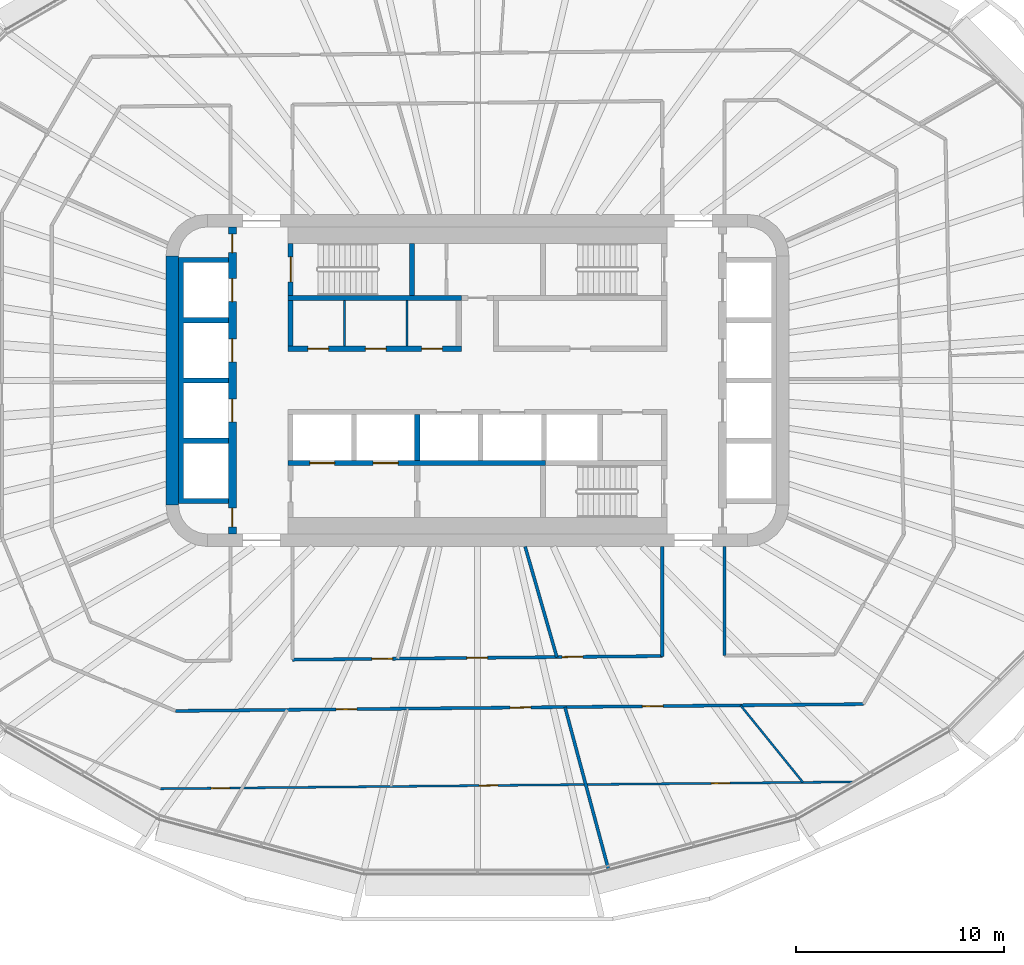
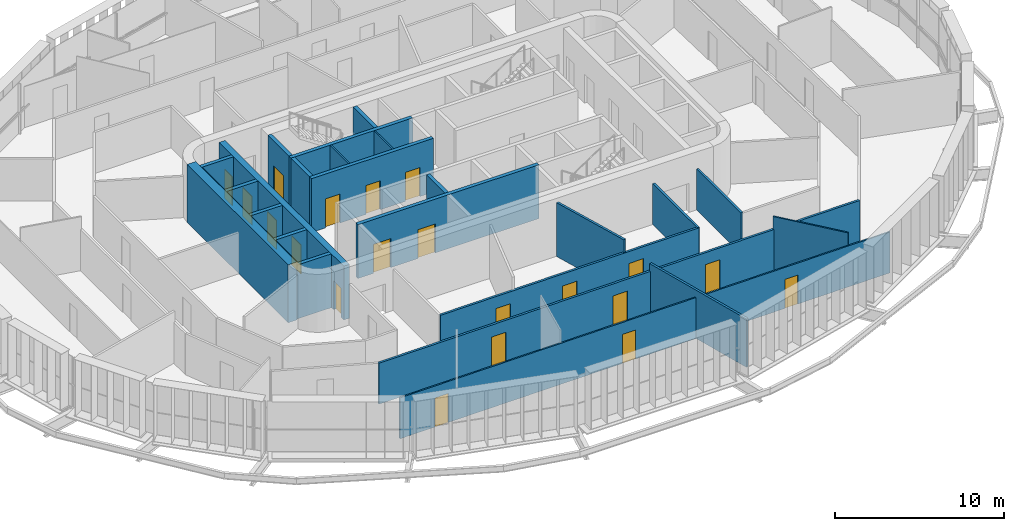
# One storey, part 15 of 26: 20 doors, 20 walls, 20 openings.
"""IFC4 building model written with IfcOpenShell, lengths in metres."""

from ifc_helpers import new_model, si_unit, direction, frame, frame_2d, origin, place, context, subcontext, project, spatial, polyline, rectangle, outline, extrude, material, layer, layer_set, type_object, element, fill, save


model = new_model("IFC4")

# Units and contexts
model_context = context("Model", 3, precision=1e-05, world=origin(), true_north=direction((0.0, 1.0)))
body_context = subcontext(model_context, "Body", "Model", "MODEL_VIEW")
ifc_project = project(units=[si_unit("LENGTHUNIT", "METRE"), si_unit("AREAUNIT", "SQUARE_METRE"), si_unit("VOLUMEUNIT", "CUBIC_METRE"), si_unit("PLANEANGLEUNIT", "RADIAN"), si_unit("MASSUNIT", "GRAM", prefix="KILO")], contexts=[model_context])

# Site, building, storey
site_placement = place(None, origin())
site = spatial("IfcSite", under=ifc_project, at=site_placement, CompositionType="ELEMENT")
building_placement = place(site_placement, origin())
building = spatial("IfcBuilding", under=site, at=building_placement, Name="Sahrelin Media Tower", CompositionType="ELEMENT")
storey_placement = place(building_placement, frame((0.0, 0.0, 92.39990234375)))
storey = spatial("IfcBuildingStorey", under=building, at=storey_placement, Name="L17", CompositionType="ELEMENT", Elevation=92.39990234375)

# Wall
ifc_material_1 = material(Name="Concrete C60/75", Category="concrete")
ifc_layer_1 = layer(ifc_material_1, 0.60009765625)
ifc_layer_set_1 = layer_set([ifc_layer_1], Name="Core wall 600")
wall_type_1 = type_object("IfcWallType", Name="Core wall 600", PredefinedType="SHEAR", material=ifc_layer_set_1)
wall_1_placement = place(storey_placement, frame((-14.699951171875, -6.0, 0.0), z_axis=(0.0, 0.0, 1.0), x_axis=(0.0, 1.0, 0.0)))
element("IfcWall", 1, at=wall_1_placement, inside=storey, type_object=wall_type_1, Name="Core wall W L17", PredefinedType="SHEAR", context=body_context, shape_type="SweptSolid", body=[
    extrude(rectangle(XDim=12.0, YDim=0.60009765625, at=frame_2d((6.0, 0.0))), origin(), (0.0, 0.0, 1.0), 4.2001953125),
])

# Wall, openings, doors
ifc_material_2 = material(Name="Fire-rated gypsum board partition")
ifc_layer_2 = layer(ifc_material_2, 0.25)
ifc_layer_set_2 = layer_set([ifc_layer_2], Name="Fire-rated lobby wall 250")
wall_type_2 = type_object("IfcWallType", Name="Fire-rated lobby wall 250", PredefinedType="PARTITIONING", material=ifc_layer_set_2)
wall_2_placement = place(storey_placement, frame((-9.125, 1.52490234375, 0.0), z_axis=(0.0, 0.0, 1.0), x_axis=(1.0, 0.0, 0.0)))
wall_2 = element("IfcWall", 2, at=wall_2_placement, inside=storey, type_object=wall_type_2, Name="Core lobby wall", PredefinedType="PARTITIONING", context=body_context, shape_type="SweptSolid", body=[
    extrude(rectangle(XDim=8.35009765625, YDim=0.25, at=frame_2d((4.175048828125, 0.0))), origin(), (0.0, 0.0, 1.0), 3.900146484375),
])
opening_1_placement = place(wall_2_placement, frame((0.96240234375, 0.0, 0.0)))
opening_1 = element("IfcOpeningElement", 3, at=opening_1_placement, cuts=wall_2, Name="Opening L17-D08", PredefinedType="OPENING", context=body_context, shape_type="SweptSolid", body=[
    extrude(rectangle(XDim=1.0, YDim=2.10009765625, at=frame_2d((0.5, 1.050048828125))), frame((0.0, 0.125, 0.0), z_axis=(0.0, -1.0, 0.0), x_axis=(1.0, 0.0, 0.0)), (0.0, 0.0, 1.0), 0.25),
])
opening_2_placement = place(wall_2_placement, frame((3.72509765625, 0.0, 0.0)))
opening_2 = element("IfcOpeningElement", 4, at=opening_2_placement, cuts=wall_2, Name="Opening L17-D09", PredefinedType="OPENING", context=body_context, shape_type="SweptSolid", body=[
    extrude(rectangle(XDim=1.0, YDim=2.10009765625, at=frame_2d((0.5, 1.050048828125))), frame((0.0, 0.125, 0.0), z_axis=(0.0, -1.0, 0.0), x_axis=(1.0, 0.0, 0.0)), (0.0, 0.0, 1.0), 0.25),
])
opening_3_placement = place(wall_2_placement, frame((6.4375, 0.0, 0.0)))
opening_3 = element("IfcOpeningElement", 5, at=opening_3_placement, cuts=wall_2, Name="Opening L17-D10", PredefinedType="OPENING", context=body_context, shape_type="SweptSolid", body=[
    extrude(rectangle(XDim=1.0, YDim=2.10009765625, at=frame_2d((0.5, 1.050048828125))), frame((0.0, 0.125, 0.0), z_axis=(0.0, -1.0, 0.0), x_axis=(1.0, 0.0, 0.0)), (0.0, 0.0, 1.0), 0.25),
])
ifc_material_3 = material(Name="Steel fire door leaf", Category="steel")
door_type_1 = type_object("IfcDoorType", Name="Fire door 1000 x 2100 EI 60", OperationType="NOTDEFINED", PredefinedType="DOOR", material=ifc_material_3)
door_1_placement = place(opening_1_placement, origin())
door_1 = element("IfcDoor", 6, at=door_1_placement, inside=storey, type_object=door_type_1, Name="Core room door", OperationType="SINGLE_SWING_LEFT", OverallHeight=2.10009765625, OverallWidth=1.0, PredefinedType="DOOR", context=body_context, shape_type="SweptSolid", body=[
    extrude(rectangle(XDim=1.0, YDim=2.10009765625, at=frame_2d((0.5, 1.050048828125))), frame((0.0, 0.02490234375, 0.0), z_axis=(0.0, -1.0, 0.0), x_axis=(1.0, 0.0, 0.0)), (0.0, 0.0, 1.0), 0.050048828125),
])
fill(opening_1, door_1)
door_2_placement = place(opening_2_placement, origin())
door_2 = element("IfcDoor", 7, at=door_2_placement, inside=storey, type_object=door_type_1, Name="Core room door", OperationType="SINGLE_SWING_LEFT", OverallHeight=2.10009765625, OverallWidth=1.0, PredefinedType="DOOR", context=body_context, shape_type="SweptSolid", body=[
    extrude(rectangle(XDim=1.0, YDim=2.10009765625, at=frame_2d((0.5, 1.050048828125))), frame((0.0, 0.02490234375, 0.0), z_axis=(0.0, -1.0, 0.0), x_axis=(1.0, 0.0, 0.0)), (0.0, 0.0, 1.0), 0.050048828125),
])
fill(opening_2, door_2)
door_3_placement = place(opening_3_placement, origin())
door_3 = element("IfcDoor", 8, at=door_3_placement, inside=storey, type_object=door_type_1, Name="Core room door", OperationType="SINGLE_SWING_LEFT", OverallHeight=2.10009765625, OverallWidth=1.0, PredefinedType="DOOR", context=body_context, shape_type="SweptSolid", body=[
    extrude(rectangle(XDim=1.0, YDim=2.10009765625, at=frame_2d((0.5, 1.050048828125))), frame((0.0, 0.02490234375, 0.0), z_axis=(0.0, -1.0, 0.0), x_axis=(1.0, 0.0, 0.0)), (0.0, 0.0, 1.0), 0.050048828125),
])
fill(opening_3, door_3)

# Walls
wall_3_placement = place(storey_placement, frame((-9.0, 1.64990234375, 0.0), z_axis=(0.0, 0.0, 1.0), x_axis=(0.0, 1.0, 0.0)))
element("IfcWall", 9, at=wall_3_placement, inside=storey, type_object=wall_type_2, Name="Core lobby wall", PredefinedType="PARTITIONING", context=body_context, shape_type="SweptSolid", body=[
    extrude(rectangle(XDim=2.2001953125, YDim=0.25, at=frame_2d((1.10009765625, 0.0))), origin(), (0.0, 0.0, 1.0), 3.900146484375),
])
ifc_layer_3 = layer(ifc_material_2, 0.10009765625)
ifc_layer_set_3 = layer_set([ifc_layer_3], Name="Fire-rated partition 100")
wall_type_3 = type_object("IfcWallType", Name="Fire-rated partition 100", PredefinedType="PARTITIONING", material=ifc_layer_set_3)
for number, where, z_axis, x_axis, name in (
    (10, (-6.39990234375, 1.64990234375, 0.0), (0.0, 0.0, 1.0), (0.0, 1.0, 0.0), "Core room partition"),
    (11, (-3.39990234375, 1.64990234375, 0.0), (0.0, 0.0, 1.0), (0.0, 1.0, 0.0), "Core room partition"),
):
    element("IfcWall", number, at=place(storey_placement, frame(where, z_axis=z_axis, x_axis=x_axis)), inside=storey, type_object=wall_type_3, Name=name, PredefinedType="PARTITIONING", context=body_context, shape_type="SweptSolid", body=[
        extrude(rectangle(XDim=2.2001953125, YDim=0.10009765625, at=frame_2d((1.10009765625, 0.0))), origin(), (0.0, 0.0, 1.0), 3.900146484375),
    ])
ifc_layer_4 = layer(ifc_material_2, 0.14990234375)
ifc_layer_set_4 = layer_set([ifc_layer_4], Name="Fire-rated partition 150")
wall_type_4 = type_object("IfcWallType", Name="Fire-rated partition 150", PredefinedType="PARTITIONING", material=ifc_layer_set_4)
wall_4_placement = place(storey_placement, frame((4.215087890625, -15.72998046875, 0.0), z_axis=(0.0, 0.0, 1.0), x_axis=(0.258844392232, -0.96591903419, 0.0)))
element("IfcWall", 12, at=wall_4_placement, inside=storey, type_object=wall_type_4, Name="Wall", PredefinedType="PARTITIONING", context=body_context, shape_type="SweptSolid", body=[
    extrude(rectangle(XDim=8.1123046875, YDim=0.14990234375, at=frame_2d((4.05615234375, 0.0))), origin(), (0.0, 0.0, 1.0), 3.501708984375),
])
wall_5_placement = place(storey_placement, frame((2.2958984375, -8.0, 0.0), z_axis=(0.0, 0.0, 1.0), x_axis=(0.275935525478, -0.961176147113, 0.0)))
element("IfcWall", 13, at=wall_5_placement, inside=storey, type_object=wall_type_4, Name="Wall", PredefinedType="PARTITIONING", context=body_context, shape_type="SweptSolid", body=[
    extrude(rectangle(XDim=5.54833984375, YDim=0.14990234375, at=frame_2d((2.774169921875, 0.0))), origin(), (0.0, 0.0, 1.0), 3.900146484375),
])

# Wall, openings, doors
wall_6_placement = place(storey_placement, frame((-14.533935546875, -15.91552734375, 0.0), z_axis=(0.0, 0.0, 1.0), x_axis=(0.999950930262, 0.009906415532, 0.0)))
wall_6 = element("IfcWall", 14, at=wall_6_placement, inside=storey, type_object=wall_type_4, Name="Wall", PredefinedType="PARTITIONING", context=body_context, shape_type="SweptSolid", body=[
    extrude(rectangle(XDim=33.12255859375, YDim=0.14990234375, at=frame_2d((16.561279296875, 0.0))), origin(), (0.0, 0.0, 1.0), 2.96826171875),
])
opening_4_placement = place(wall_6_placement, frame((22.477294921875, 0.0, 0.0)))
opening_4 = element("IfcOpeningElement", 15, at=opening_4_placement, cuts=wall_6, Name="Opening L17-D35", PredefinedType="OPENING", context=body_context, shape_type="SweptSolid", body=[
    extrude(rectangle(XDim=1.0, YDim=2.10009765625, at=frame_2d((0.5, 1.050048828125))), frame((0.0, 0.074951171875, 0.0), z_axis=(0.0, -1.0, 0.0), x_axis=(1.0, 0.0, 0.0)), (0.0, 0.0, 1.0), 0.14990234375),
])
opening_5_placement = place(wall_6_placement, frame((7.722900390625, 0.0, 0.0)))
opening_5 = element("IfcOpeningElement", 16, at=opening_5_placement, cuts=wall_6, Name="Opening L17-D56", PredefinedType="OPENING", context=body_context, shape_type="SweptSolid", body=[
    extrude(rectangle(XDim=1.0, YDim=2.10009765625, at=frame_2d((0.5, 1.050048828125))), frame((0.0, 0.074951171875, 0.0), z_axis=(0.0, -1.0, 0.0), x_axis=(1.0, 0.0, 0.0)), (0.0, 0.0, 1.0), 0.14990234375),
])
opening_6_placement = place(wall_6_placement, frame((16.111083984375, 0.0, 0.0)))
opening_6 = element("IfcOpeningElement", 17, at=opening_6_placement, cuts=wall_6, Name="Opening L17-D57", PredefinedType="OPENING", context=body_context, shape_type="SweptSolid", body=[
    extrude(rectangle(XDim=1.0, YDim=2.10009765625, at=frame_2d((0.5, 1.050048828125))), frame((0.0, 0.074951171875, 0.0), z_axis=(0.0, -1.0, 0.0), x_axis=(1.0, 0.0, 0.0)), (0.0, 0.0, 1.0), 0.14990234375),
])
door_4_placement = place(opening_4_placement, origin())
door_4 = element("IfcDoor", 18, at=door_4_placement, inside=storey, type_object=door_type_1, Name="Fire door", OperationType="SINGLE_SWING_RIGHT", OverallHeight=2.10009765625, OverallWidth=1.0, PredefinedType="DOOR", context=body_context, shape_type="SweptSolid", body=[
    extrude(rectangle(XDim=1.0, YDim=2.10009765625, at=frame_2d((0.5, 1.050048828125))), frame((0.0, 0.02490234375, 0.0), z_axis=(0.0, -1.0, 0.0), x_axis=(1.0, 0.0, 0.0)), (0.0, 0.0, 1.0), 0.050048828125),
])
fill(opening_4, door_4)
door_5_placement = place(opening_5_placement, origin())
door_5 = element("IfcDoor", 19, at=door_5_placement, inside=storey, type_object=door_type_1, Name="Fire door", OperationType="SINGLE_SWING_LEFT", OverallHeight=2.10009765625, OverallWidth=1.0, PredefinedType="DOOR", context=body_context, shape_type="SweptSolid", body=[
    extrude(rectangle(XDim=1.0, YDim=2.10009765625, at=frame_2d((0.5, 1.050048828125))), frame((0.0, 0.02490234375, 0.0), z_axis=(0.0, -1.0, 0.0), x_axis=(1.0, 0.0, 0.0)), (0.0, 0.0, 1.0), 0.050048828125),
])
fill(opening_5, door_5)
door_6_placement = place(opening_6_placement, origin())
door_6 = element("IfcDoor", 20, at=door_6_placement, inside=storey, type_object=door_type_1, Name="Fire door", OperationType="SINGLE_SWING_RIGHT", OverallHeight=2.10009765625, OverallWidth=1.0, PredefinedType="DOOR", context=body_context, shape_type="SweptSolid", body=[
    extrude(rectangle(XDim=1.0, YDim=2.10009765625, at=frame_2d((0.5, 1.050048828125))), frame((0.0, 0.02490234375, 0.0), z_axis=(0.0, -1.0, 0.0), x_axis=(1.0, 0.0, 0.0)), (0.0, 0.0, 1.0), 0.050048828125),
])
fill(opening_6, door_6)

wall_7_placement = place(storey_placement, frame((-8.89990234375, -13.448974609375, 0.0), z_axis=(0.0, 0.0, 1.0), x_axis=(0.999950834077, 0.009916119672, 0.0)))
wall_7 = element("IfcWall", 21, at=wall_7_placement, inside=storey, type_object=wall_type_4, Name="Wall", PredefinedType="PARTITIONING", context=body_context, shape_type="SweptSolid", body=[
    extrude(rectangle(XDim=17.80078125, YDim=0.14990234375, at=frame_2d((8.900390625, 0.0))), origin(), (0.0, 0.0, 1.0), 2.96826171875),
])
opening_7_placement = place(wall_7_placement, frame((3.81787109375, 0.0, 0.0)))
opening_7 = element("IfcOpeningElement", 22, at=opening_7_placement, cuts=wall_7, Name="Opening L17-D21", PredefinedType="OPENING", context=body_context, shape_type="SweptSolid", body=[
    extrude(rectangle(XDim=1.0, YDim=2.10009765625, at=frame_2d((0.5, 1.050048828125))), frame((0.0, 0.074951171875, 0.0), z_axis=(0.0, -1.0, 0.0), x_axis=(1.0, 0.0, 0.0)), (0.0, 0.0, 1.0), 0.14990234375),
])
opening_8_placement = place(wall_7_placement, frame((8.390869140625, 0.0, 0.0)))
opening_8 = element("IfcOpeningElement", 23, at=opening_8_placement, cuts=wall_7, Name="Opening L17-D22", PredefinedType="OPENING", context=body_context, shape_type="SweptSolid", body=[
    extrude(rectangle(XDim=1.0, YDim=2.10009765625, at=frame_2d((0.5, 1.050048828125))), frame((0.0, 0.074951171875, 0.0), z_axis=(0.0, -1.0, 0.0), x_axis=(1.0, 0.0, 0.0)), (0.0, 0.0, 1.0), 0.14990234375),
])
opening_9_placement = place(wall_7_placement, frame((12.974609375, 0.0, 0.0)))
opening_9 = element("IfcOpeningElement", 24, at=opening_9_placement, cuts=wall_7, Name="Opening L17-D23", PredefinedType="OPENING", context=body_context, shape_type="SweptSolid", body=[
    extrude(rectangle(XDim=1.0, YDim=2.10009765625, at=frame_2d((0.5, 1.050048828125))), frame((0.0, 0.074951171875, 0.0), z_axis=(0.0, -1.0, 0.0), x_axis=(1.0, 0.0, 0.0)), (0.0, 0.0, 1.0), 0.14990234375),
])
door_7_placement = place(opening_7_placement, origin())
door_7 = element("IfcDoor", 25, at=door_7_placement, inside=storey, type_object=door_type_1, Name="Fire door", OperationType="SINGLE_SWING_LEFT", OverallHeight=2.10009765625, OverallWidth=1.0, PredefinedType="DOOR", context=body_context, shape_type="SweptSolid", body=[
    extrude(rectangle(XDim=1.0, YDim=2.10009765625, at=frame_2d((0.5, 1.050048828125))), frame((0.0, 0.02490234375, 0.0), z_axis=(0.0, -1.0, 0.0), x_axis=(1.0, 0.0, 0.0)), (0.0, 0.0, 1.0), 0.050048828125),
])
fill(opening_7, door_7)
door_8_placement = place(opening_8_placement, origin())
door_8 = element("IfcDoor", 26, at=door_8_placement, inside=storey, type_object=door_type_1, Name="Fire door", OperationType="SINGLE_SWING_RIGHT", OverallHeight=2.10009765625, OverallWidth=1.0, PredefinedType="DOOR", context=body_context, shape_type="SweptSolid", body=[
    extrude(rectangle(XDim=1.0, YDim=2.10009765625, at=frame_2d((0.5, 1.050048828125))), frame((0.0, 0.02490234375, 0.0), z_axis=(0.0, -1.0, 0.0), x_axis=(1.0, 0.0, 0.0)), (0.0, 0.0, 1.0), 0.050048828125),
])
fill(opening_8, door_8)
door_9_placement = place(opening_9_placement, origin())
door_9 = element("IfcDoor", 27, at=door_9_placement, inside=storey, type_object=door_type_1, Name="Fire door", OperationType="SINGLE_SWING_LEFT", OverallHeight=2.10009765625, OverallWidth=1.0, PredefinedType="DOOR", context=body_context, shape_type="SweptSolid", body=[
    extrude(rectangle(XDim=1.0, YDim=2.10009765625, at=frame_2d((0.5, 1.050048828125))), frame((0.0, 0.02490234375, 0.0), z_axis=(0.0, -1.0, 0.0), x_axis=(1.0, 0.0, 0.0)), (0.0, 0.0, 1.0), 0.050048828125),
])
fill(opening_9, door_9)

# Walls
wall_8_placement = place(storey_placement, frame((11.89990234375, -13.2529296875, 0.0), z_axis=(0.0, 0.0, 1.0), x_axis=(0.0, 1.0, 0.0)))
element("IfcWall", 28, at=wall_8_placement, inside=storey, type_object=wall_type_4, Name="Wall", PredefinedType="PARTITIONING", context=body_context, shape_type="SweptSolid", body=[
    extrude(rectangle(XDim=5.2529296875, YDim=0.14990234375, at=frame_2d((2.62646484375, 0.0))), origin(), (0.0, 0.0, 1.0), 2.96826171875),
])
wall_9_placement = place(storey_placement, frame((8.89990234375, -13.282958984375, 0.0), z_axis=(0.0, 0.0, 1.0), x_axis=(0.0, 1.0, 0.0)))
element("IfcWall", 29, at=wall_9_placement, inside=storey, type_object=wall_type_4, Name="Wall", PredefinedType="PARTITIONING", context=body_context, shape_type="SweptSolid", body=[
    extrude(rectangle(XDim=5.282958984375, YDim=0.14990234375, at=frame_2d((2.6416015625, 0.0))), origin(), (0.0, 0.0, 1.0), 2.96826171875),
])

# Wall, openings, doors
ifc_layer_5 = layer(ifc_material_1, 0.25)
ifc_layer_set_5 = layer_set([ifc_layer_5], Name="Lift shaft wall 250")
wall_type_5 = type_object("IfcWallType", Name="Lift shaft wall 250", PredefinedType="SOLIDWALL", material=ifc_layer_set_5)
wall_10_placement = place(storey_placement, frame((-9.125, -3.97509765625, 0.0), z_axis=(0.0, 0.0, 1.0), x_axis=(1.0, 0.0, 0.0)))
wall_10 = element("IfcWall", 30, at=wall_10_placement, inside=storey, type_object=wall_type_5, Name="Lift shaft wall", PredefinedType="SOLIDWALL", context=body_context, shape_type="SweptSolid", body=[
    extrude(rectangle(XDim=12.39990234375, YDim=0.25, at=frame_2d((6.199951171875, 0.0))), origin(), (0.0, 0.0, 1.0), 3.900146484375),
])
opening_10_placement = place(wall_10_placement, frame((1.050048828125, 0.0, 0.0)))
opening_10 = element("IfcOpeningElement", 31, at=opening_10_placement, cuts=wall_10, Name="Opening L17-LD-FF1", PredefinedType="OPENING", context=body_context, shape_type="SweptSolid", body=[
    extrude(rectangle(XDim=1.199951171875, YDim=2.10009765625, at=frame_2d((0.60009765625, 1.050048828125))), frame((0.0, 0.125, 0.0), z_axis=(0.0, -1.0, 0.0), x_axis=(1.0, 0.0, 0.0)), (0.0, 0.0, 1.0), 0.25),
])
opening_11_placement = place(wall_10_placement, frame((4.10009765625, 0.0, 0.0)))
opening_11 = element("IfcOpeningElement", 32, at=opening_11_placement, cuts=wall_10, Name="Opening L17-LD-FF2", PredefinedType="OPENING", context=body_context, shape_type="SweptSolid", body=[
    extrude(rectangle(XDim=1.199951171875, YDim=2.10009765625, at=frame_2d((0.60009765625, 1.050048828125))), frame((0.0, 0.125, 0.0), z_axis=(0.0, -1.0, 0.0), x_axis=(1.0, 0.0, 0.0)), (0.0, 0.0, 1.0), 0.25),
])
ifc_material_4 = material(Name="Stainless steel", Category="steel")
door_type_2 = type_object("IfcDoorType", Name="Lift landing door 1200 x 2100 EI 120", OperationType="DOUBLE_DOOR_SLIDING", PredefinedType="DOOR", material=ifc_material_4)
door_10_placement = place(opening_10_placement, origin())
door_10 = element("IfcDoor", 33, at=door_10_placement, inside=storey, type_object=door_type_2, Name="Lift landing door FF1", OperationType="DOUBLE_DOOR_SLIDING", OverallHeight=2.10009765625, OverallWidth=1.199951171875, PredefinedType="DOOR", context=body_context, shape_type="SweptSolid", body=[
    extrude(rectangle(XDim=1.199951171875, YDim=2.10009765625, at=frame_2d((0.60009765625, 1.050048828125))), frame((0.0, 0.02490234375, 0.0), z_axis=(0.0, -1.0, 0.0), x_axis=(1.0, 0.0, 0.0)), (0.0, 0.0, 1.0), 0.050048828125),
])
fill(opening_10, door_10)
door_11_placement = place(opening_11_placement, origin())
door_11 = element("IfcDoor", 34, at=door_11_placement, inside=storey, type_object=door_type_2, Name="Lift landing door FF2", OperationType="DOUBLE_DOOR_SLIDING", OverallHeight=2.10009765625, OverallWidth=1.199951171875, PredefinedType="DOOR", context=body_context, shape_type="SweptSolid", body=[
    extrude(rectangle(XDim=1.199951171875, YDim=2.10009765625, at=frame_2d((0.60009765625, 1.050048828125))), frame((0.0, 0.02490234375, 0.0), z_axis=(0.0, -1.0, 0.0), x_axis=(1.0, 0.0, 0.0)), (0.0, 0.0, 1.0), 0.050048828125),
])
fill(opening_11, door_11)

# Walls
wall_11_placement = place(storey_placement, frame((-2.89990234375, -3.85009765625, 0.0), z_axis=(0.0, 0.0, 1.0), x_axis=(0.0, 1.0, 0.0)))
element("IfcWall", 35, at=wall_11_placement, inside=storey, type_object=wall_type_5, Name="Lift shaft wall", PredefinedType="SOLIDWALL", context=body_context, shape_type="SweptSolid", body=[
    extrude(rectangle(XDim=2.2001953125, YDim=0.25, at=frame_2d((1.10009765625, 0.0))), origin(), (0.0, 0.0, 1.0), 3.900146484375),
])
wall_12_placement = place(storey_placement, origin())
element("IfcWall", 36, at=wall_12_placement, inside=storey, type_object=wall_type_5, Name="Lift shaft wall", PredefinedType="SOLIDWALL", context=body_context, shape_type="SweptSolid", body=[
    extrude(outline(polyline([(-12.0, -5.925048828125), (-12.0, -5.675048828125), (-14.14990234375, -5.675048828125), (-14.14990234375, -3.02490234375), (-12.0, -3.02490234375), (-12.0, -2.77490234375), (-14.14990234375, -2.77490234375), (-14.14990234375, -0.125), (-12.0, -0.125), (-12.0, 0.125), (-14.14990234375, 0.125), (-14.14990234375, 2.77490234375), (-12.0, 2.77490234375), (-12.0, 3.02490234375), (-14.14990234375, 3.02490234375), (-14.14990234375, 5.675048828125), (-12.0, 5.675048828125), (-12.0, 5.925048828125), (-14.14990234375, 5.925048828125), (-14.39990234375, 5.925048828125), (-14.39990234375, 5.675048828125), (-14.39990234375, 3.02490234375), (-14.39990234375, 2.77490234375), (-14.39990234375, 0.125), (-14.39990234375, -0.125), (-14.39990234375, -2.77490234375), (-14.39990234375, -3.02490234375), (-14.39990234375, -5.675048828125), (-14.39990234375, -5.925048828125), (-14.14990234375, -5.925048828125), (-12.0, -5.925048828125)])), origin(), (0.0, 0.0, 1.0), 3.900146484375),
])

# Wall, openings, doors
ifc_layer_6 = layer(ifc_material_1, 0.39990234375)
ifc_layer_set_6 = layer_set([ifc_layer_6], Name="Lift shaft wall 400")
wall_type_6 = type_object("IfcWallType", Name="Lift shaft wall 400", PredefinedType="SOLIDWALL", material=ifc_layer_set_6)
wall_13_placement = place(storey_placement, frame((-11.800048828125, -7.39990234375, 0.0), z_axis=(0.0, 0.0, 1.0), x_axis=(0.0, 1.0, 0.0)))
wall_13 = element("IfcWall", 37, at=wall_13_placement, inside=storey, type_object=wall_type_6, Name="Lift shaft wall", PredefinedType="SOLIDWALL", context=body_context, shape_type="SweptSolid", body=[
    extrude(rectangle(XDim=14.7998046875, YDim=0.39990234375, at=frame_2d((7.39990234375, 0.0))), origin(), (0.0, 0.0, 1.0), 3.900146484375),
])
opening_12_placement = place(wall_13_placement, frame((11.199951171875, 0.0, 0.0)))
opening_12 = element("IfcOpeningElement", 38, at=opening_12_placement, cuts=wall_13, Name="Opening L17-LD-LR1", PredefinedType="OPENING", context=body_context, shape_type="SweptSolid", body=[
    extrude(rectangle(XDim=1.10009765625, YDim=2.10009765625, at=frame_2d((0.550048828125, 1.050048828125))), frame((0.0, 0.199951171875, 0.0), z_axis=(0.0, -1.0, 0.0), x_axis=(1.0, 0.0, 0.0)), (0.0, 0.0, 1.0), 0.39990234375),
])
opening_13_placement = place(wall_13_placement, frame((8.300048828125, 0.0, 0.0)))
opening_13 = element("IfcOpeningElement", 39, at=opening_13_placement, cuts=wall_13, Name="Opening L17-LD-LR2", PredefinedType="OPENING", context=body_context, shape_type="SweptSolid", body=[
    extrude(rectangle(XDim=1.10009765625, YDim=2.10009765625, at=frame_2d((0.550048828125, 1.050048828125))), frame((0.0, 0.199951171875, 0.0), z_axis=(0.0, -1.0, 0.0), x_axis=(1.0, 0.0, 0.0)), (0.0, 0.0, 1.0), 0.39990234375),
])
opening_14_placement = place(wall_13_placement, frame((5.39990234375, 0.0, 0.0)))
opening_14 = element("IfcOpeningElement", 40, at=opening_14_placement, cuts=wall_13, Name="Opening L17-LD-LR3", PredefinedType="OPENING", context=body_context, shape_type="SweptSolid", body=[
    extrude(rectangle(XDim=1.10009765625, YDim=2.10009765625, at=frame_2d((0.550048828125, 1.050048828125))), frame((0.0, 0.199951171875, 0.0), z_axis=(0.0, -1.0, 0.0), x_axis=(1.0, 0.0, 0.0)), (0.0, 0.0, 1.0), 0.39990234375),
])
opening_15_placement = place(wall_13_placement, frame((13.552490234375, 0.0, 0.0)))
opening_15 = element("IfcOpeningElement", 41, at=opening_15_placement, cuts=wall_13, Name="Opening L17-D13", PredefinedType="OPENING", context=body_context, shape_type="SweptSolid", body=[
    extrude(rectangle(XDim=0.89990234375, YDim=2.10009765625, at=frame_2d((0.449951171875, 1.050048828125))), frame((0.0, 0.199951171875, 0.0), z_axis=(0.0, -1.0, 0.0), x_axis=(1.0, 0.0, 0.0)), (0.0, 0.0, 1.0), 0.39990234375),
])
opening_16_placement = place(wall_13_placement, frame((0.347412109375, 0.0, 0.0)))
opening_16 = element("IfcOpeningElement", 42, at=opening_16_placement, cuts=wall_13, Name="Opening L17-D14", PredefinedType="OPENING", context=body_context, shape_type="SweptSolid", body=[
    extrude(rectangle(XDim=0.89990234375, YDim=2.10009765625, at=frame_2d((0.449951171875, 1.050048828125))), frame((0.0, 0.199951171875, 0.0), z_axis=(0.0, -1.0, 0.0), x_axis=(1.0, 0.0, 0.0)), (0.0, 0.0, 1.0), 0.39990234375),
])
door_type_3 = type_object("IfcDoorType", Name="Lift landing door 1100 x 2100 EI 120", OperationType="DOUBLE_DOOR_SLIDING", PredefinedType="DOOR", material=ifc_material_4)
door_12_placement = place(opening_12_placement, origin())
door_12 = element("IfcDoor", 43, at=door_12_placement, inside=storey, type_object=door_type_3, Name="Lift landing door LR1", OperationType="DOUBLE_DOOR_SLIDING", OverallHeight=2.10009765625, OverallWidth=1.10009765625, PredefinedType="DOOR", context=body_context, shape_type="SweptSolid", body=[
    extrude(rectangle(XDim=1.10009765625, YDim=2.10009765625, at=frame_2d((0.550048828125, 1.050048828125))), frame((0.0, 0.02490234375, 0.0), z_axis=(0.0, -1.0, 0.0), x_axis=(1.0, 0.0, 0.0)), (0.0, 0.0, 1.0), 0.050048828125),
])
fill(opening_12, door_12)
door_13_placement = place(opening_13_placement, origin())
door_13 = element("IfcDoor", 44, at=door_13_placement, inside=storey, type_object=door_type_3, Name="Lift landing door LR2", OperationType="DOUBLE_DOOR_SLIDING", OverallHeight=2.10009765625, OverallWidth=1.10009765625, PredefinedType="DOOR", context=body_context, shape_type="SweptSolid", body=[
    extrude(rectangle(XDim=1.10009765625, YDim=2.10009765625, at=frame_2d((0.550048828125, 1.050048828125))), frame((0.0, 0.02490234375, 0.0), z_axis=(0.0, -1.0, 0.0), x_axis=(1.0, 0.0, 0.0)), (0.0, 0.0, 1.0), 0.050048828125),
])
fill(opening_13, door_13)
door_14_placement = place(opening_14_placement, origin())
door_14 = element("IfcDoor", 45, at=door_14_placement, inside=storey, type_object=door_type_3, Name="Lift landing door LR3", OperationType="DOUBLE_DOOR_SLIDING", OverallHeight=2.10009765625, OverallWidth=1.10009765625, PredefinedType="DOOR", context=body_context, shape_type="SweptSolid", body=[
    extrude(rectangle(XDim=1.10009765625, YDim=2.10009765625, at=frame_2d((0.550048828125, 1.050048828125))), frame((0.0, 0.02490234375, 0.0), z_axis=(0.0, -1.0, 0.0), x_axis=(1.0, 0.0, 0.0)), (0.0, 0.0, 1.0), 0.050048828125),
])
fill(opening_14, door_14)
door_type_4 = type_object("IfcDoorType", Name="Riser door 900 x 2100 EI 120", OperationType="NOTDEFINED", PredefinedType="DOOR", material=ifc_material_3)
door_15_placement = place(opening_15_placement, origin())
door_15 = element("IfcDoor", 46, at=door_15_placement, inside=storey, type_object=door_type_4, Name="Riser door", OperationType="SINGLE_SWING_LEFT", OverallHeight=2.10009765625, OverallWidth=0.89990234375, PredefinedType="DOOR", context=body_context, shape_type="SweptSolid", body=[
    extrude(rectangle(XDim=0.89990234375, YDim=2.10009765625, at=frame_2d((0.449951171875, 1.050048828125))), frame((0.0, 0.02490234375, 0.0), z_axis=(0.0, -1.0, 0.0), x_axis=(1.0, 0.0, 0.0)), (0.0, 0.0, 1.0), 0.050048828125),
])
fill(opening_15, door_15)
door_16_placement = place(opening_16_placement, origin())
door_16 = element("IfcDoor", 47, at=door_16_placement, inside=storey, type_object=door_type_4, Name="Riser door", OperationType="SINGLE_SWING_LEFT", OverallHeight=2.10009765625, OverallWidth=0.89990234375, PredefinedType="DOOR", context=body_context, shape_type="SweptSolid", body=[
    extrude(rectangle(XDim=0.89990234375, YDim=2.10009765625, at=frame_2d((0.449951171875, 1.050048828125))), frame((0.0, 0.02490234375, 0.0), z_axis=(0.0, -1.0, 0.0), x_axis=(1.0, 0.0, 0.0)), (0.0, 0.0, 1.0), 0.050048828125),
])
fill(opening_16, door_16)

# Wall
ifc_material_5 = material(Name="Gypsum board partition")
ifc_layer_7 = layer(ifc_material_5, 0.10009765625)
ifc_layer_set_7 = layer_set([ifc_layer_7], Name="Partition 100")
wall_type_7 = type_object("IfcWallType", Name="Partition 100", PredefinedType="PARTITIONING", material=ifc_layer_set_7)
wall_14_placement = place(storey_placement, frame((12.669921875, -15.64599609375, 0.0), z_axis=(0.0, 0.0, 1.0), x_axis=(0.629429152062, -0.777057875923, 0.0)))
element("IfcWall", 48, at=wall_14_placement, inside=storey, type_object=wall_type_7, Name="Wall", PredefinedType="PARTITIONING", context=body_context, shape_type="SweptSolid", body=[
    extrude(rectangle(XDim=4.7744140625, YDim=0.10009765625, at=frame_2d((2.38720703125, 0.0))), origin(), (0.0, 0.0, 1.0), 3.900146484375),
])

# Wall, openings, doors
wall_15_placement = place(storey_placement, frame((-15.260009765625, -19.6630859375, 0.0), z_axis=(0.0, 0.0, 1.0), x_axis=(0.999951032014, 0.009896139397, 0.0)))
wall_15 = element("IfcWall", 49, at=wall_15_placement, inside=storey, type_object=wall_type_7, Name="Wall", PredefinedType="PARTITIONING", context=body_context, shape_type="SweptSolid", body=[
    extrude(rectangle(XDim=33.773681640625, YDim=0.10009765625, at=frame_2d((16.88671875, 0.0))), origin(), (0.0, 0.0, 1.0), 2.96826171875),
])
opening_17_placement = place(wall_15_placement, frame((26.522705078125, 0.0, 0.0)))
opening_17 = element("IfcOpeningElement", 50, at=opening_17_placement, cuts=wall_15, Name="Opening L17-D37", PredefinedType="OPENING", context=body_context, shape_type="SweptSolid", body=[
    extrude(rectangle(XDim=0.89990234375, YDim=2.10009765625, at=frame_2d((0.449951171875, 1.050048828125))), frame((0.0, 0.050048828125, 0.0), z_axis=(0.0, -1.0, 0.0), x_axis=(1.0, 0.0, 0.0)), (0.0, 0.0, 1.0), 0.10009765625),
])
opening_18_placement = place(wall_15_placement, frame((2.4296875, 0.0, 0.0)))
opening_18 = element("IfcOpeningElement", 51, at=opening_18_placement, cuts=wall_15, Name="Opening L17-D55", PredefinedType="OPENING", context=body_context, shape_type="SweptSolid", body=[
    extrude(rectangle(XDim=0.89990234375, YDim=2.10009765625, at=frame_2d((0.449951171875, 1.050048828125))), frame((0.0, 0.050048828125, 0.0), z_axis=(0.0, -1.0, 0.0), x_axis=(1.0, 0.0, 0.0)), (0.0, 0.0, 1.0), 0.10009765625),
])
opening_19_placement = place(wall_15_placement, frame((15.339599609375, 0.0, 0.0)))
opening_19 = element("IfcOpeningElement", 52, at=opening_19_placement, cuts=wall_15, Name="Opening L17-D58", PredefinedType="OPENING", context=body_context, shape_type="SweptSolid", body=[
    extrude(rectangle(XDim=0.89990234375, YDim=2.10009765625, at=frame_2d((0.449951171875, 1.050048828125))), frame((0.0, 0.050048828125, 0.0), z_axis=(0.0, -1.0, 0.0), x_axis=(1.0, 0.0, 0.0)), (0.0, 0.0, 1.0), 0.10009765625),
])
ifc_material_6 = material(Name="Timber door leaf", Category="wood")
door_type_5 = type_object("IfcDoorType", Name="Single door 900 x 2100", OperationType="NOTDEFINED", PredefinedType="DOOR", material=ifc_material_6)
door_17_placement = place(opening_17_placement, origin())
door_17 = element("IfcDoor", 53, at=door_17_placement, inside=storey, type_object=door_type_5, Name="Single door", OperationType="SINGLE_SWING_LEFT", OverallHeight=2.10009765625, OverallWidth=0.89990234375, PredefinedType="DOOR", context=body_context, shape_type="SweptSolid", body=[
    extrude(rectangle(XDim=0.89990234375, YDim=2.10009765625, at=frame_2d((0.449951171875, 1.050048828125))), frame((0.0, 0.02490234375, 0.0), z_axis=(0.0, -1.0, 0.0), x_axis=(1.0, 0.0, 0.0)), (0.0, 0.0, 1.0), 0.050048828125),
])
fill(opening_17, door_17)
door_18_placement = place(opening_18_placement, origin())
door_18 = element("IfcDoor", 54, at=door_18_placement, inside=storey, type_object=door_type_5, Name="Single door", OperationType="SINGLE_SWING_LEFT", OverallHeight=2.10009765625, OverallWidth=0.89990234375, PredefinedType="DOOR", context=body_context, shape_type="SweptSolid", body=[
    extrude(rectangle(XDim=0.89990234375, YDim=2.10009765625, at=frame_2d((0.449951171875, 1.050048828125))), frame((0.0, 0.02490234375, 0.0), z_axis=(0.0, -1.0, 0.0), x_axis=(1.0, 0.0, 0.0)), (0.0, 0.0, 1.0), 0.050048828125),
])
fill(opening_18, door_18)
door_19_placement = place(opening_19_placement, origin())
door_19 = element("IfcDoor", 55, at=door_19_placement, inside=storey, type_object=door_type_5, Name="Single door", OperationType="SINGLE_SWING_LEFT", OverallHeight=2.10009765625, OverallWidth=0.89990234375, PredefinedType="DOOR", context=body_context, shape_type="SweptSolid", body=[
    extrude(rectangle(XDim=0.89990234375, YDim=2.10009765625, at=frame_2d((0.449951171875, 1.050048828125))), frame((0.0, 0.02490234375, 0.0), z_axis=(0.0, -1.0, 0.0), x_axis=(1.0, 0.0, 0.0)), (0.0, 0.0, 1.0), 0.050048828125),
])
fill(opening_19, door_19)

# Wall, opening, door
ifc_layer_8 = layer(ifc_material_1, 0.25)
ifc_layer_set_8 = layer_set([ifc_layer_8], Name="Stair enclosure wall 250")
wall_type_8 = type_object("IfcWallType", Name="Stair enclosure wall 250", PredefinedType="SOLIDWALL", material=ifc_layer_set_8)
wall_16_placement = place(storey_placement, frame((-9.0, 4.10009765625, 0.0), z_axis=(0.0, 0.0, 1.0), x_axis=(0.0, 1.0, 0.0)))
wall_16 = element("IfcWall", 56, at=wall_16_placement, inside=storey, type_object=wall_type_8, Name="Stair enclosure wall", PredefinedType="SOLIDWALL", context=body_context, shape_type="SweptSolid", body=[
    extrude(rectangle(XDim=2.5, YDim=0.25, at=frame_2d((1.25, 0.0))), origin(), (0.0, 0.0, 1.0), 3.900146484375),
])
opening_20_placement = place(wall_16_placement, frame((0.64990234375, 0.0, 0.0)))
opening_20 = element("IfcOpeningElement", 57, at=opening_20_placement, cuts=wall_16, Name="Opening L17-D01", PredefinedType="OPENING", context=body_context, shape_type="SweptSolid", body=[
    extrude(rectangle(XDim=1.199951171875, YDim=2.10009765625, at=frame_2d((0.60009765625, 1.050048828125))), frame((0.0, 0.125, 0.0), z_axis=(0.0, -1.0, 0.0), x_axis=(1.0, 0.0, 0.0)), (0.0, 0.0, 1.0), 0.25),
])
door_type_6 = type_object("IfcDoorType", Name="Stair door 1200 x 2100 EI 120", OperationType="NOTDEFINED", PredefinedType="DOOR", material=ifc_material_3)
door_20_placement = place(opening_20_placement, origin())
door_20 = element("IfcDoor", 58, at=door_20_placement, inside=storey, type_object=door_type_6, Name="Stair door ST1", OperationType="SINGLE_SWING_RIGHT", OverallHeight=2.10009765625, OverallWidth=1.199951171875, PredefinedType="DOOR", context=body_context, shape_type="SweptSolid", body=[
    extrude(rectangle(XDim=1.199951171875, YDim=2.10009765625, at=frame_2d((0.60009765625, 1.050048828125))), frame((0.0, 0.02490234375, 0.0), z_axis=(0.0, -1.0, 0.0), x_axis=(1.0, 0.0, 0.0)), (0.0, 0.0, 1.0), 0.050048828125),
])
fill(opening_20, door_20)

# Walls
wall_17_placement = place(storey_placement, frame((-3.14990234375, 4.10009765625, 0.0), z_axis=(0.0, 0.0, 1.0), x_axis=(0.0, 1.0, 0.0)))
element("IfcWall", 59, at=wall_17_placement, inside=storey, type_object=wall_type_8, Name="Stair enclosure wall", PredefinedType="SOLIDWALL", context=body_context, shape_type="SweptSolid", body=[
    extrude(rectangle(XDim=2.5, YDim=0.25, at=frame_2d((1.25, 0.0))), origin(), (0.0, 0.0, 1.0), 3.900146484375),
])
wall_18_placement = place(storey_placement, frame((-9.125, 3.97509765625, 0.0), z_axis=(0.0, 0.0, 1.0), x_axis=(1.0, 0.0, 0.0)))
element("IfcWall", 60, at=wall_18_placement, inside=storey, type_object=wall_type_8, Name="Stair enclosure wall", PredefinedType="SOLIDWALL", context=body_context, shape_type="SweptSolid", body=[
    extrude(rectangle(XDim=8.35009765625, YDim=0.25, at=frame_2d((4.175048828125, 0.0))), origin(), (0.0, 0.0, 1.0), 3.900146484375),
])

save(model, "model.ifc")
